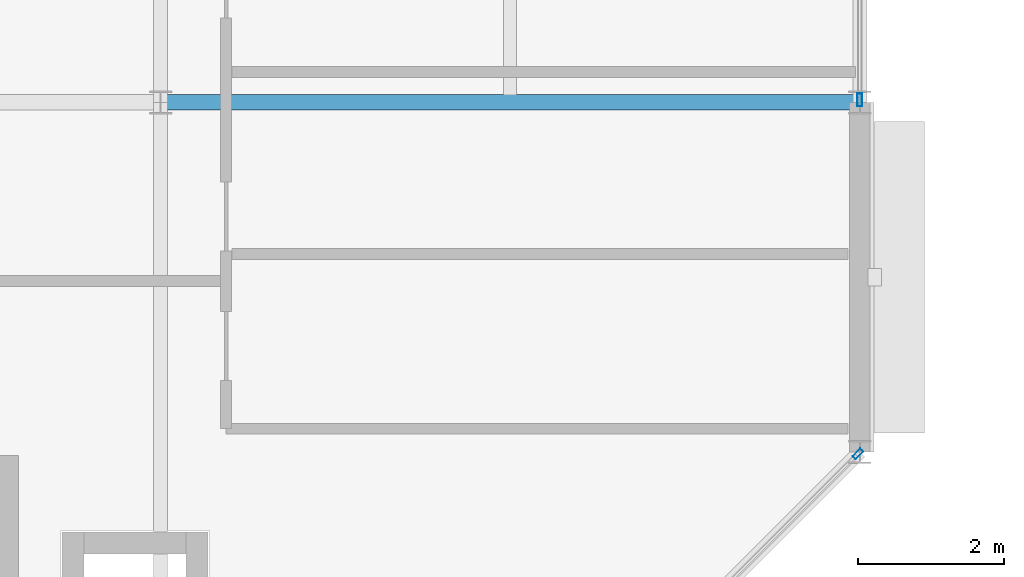
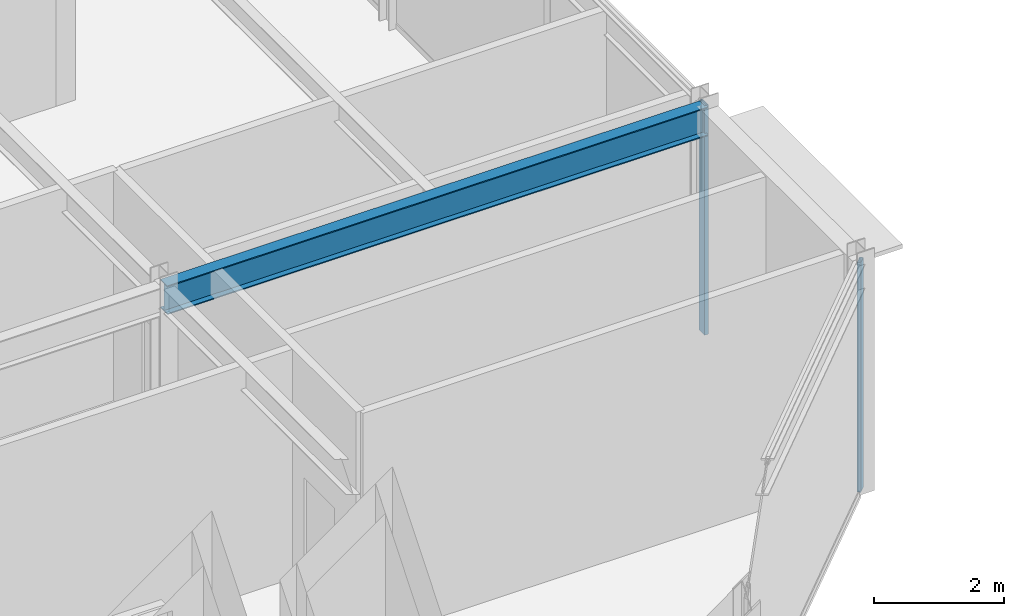
# One storey, part 10 of 50: 2 members, 1 beam, 2 elements without a shape of their own.
"""IFC4 building model written with IfcOpenShell, lengths in metres."""

from ifc_helpers import new_model, si_unit, direction, frame, origin, origin_2d, place, context, subcontext, project, spatial, hollow_rectangle, i_section, extrude, material, material_profile, profile_set, type_object, element, aggregate, save


model = new_model("IFC4")

# Units and contexts
model_context = context("Model", 3, precision=1e-05, world=origin(), true_north=direction((0.0, 1.0)))
body_context = subcontext(model_context, "Body", "Model", "MODEL_VIEW")
ifc_project = project(units=[si_unit("LENGTHUNIT", "METRE"), si_unit("AREAUNIT", "SQUARE_METRE"), si_unit("VOLUMEUNIT", "CUBIC_METRE"), si_unit("PLANEANGLEUNIT", "RADIAN"), si_unit("MASSUNIT", "GRAM", prefix="KILO")], contexts=[model_context])

# Site, building, storey
site_placement = place(None, origin())
site = spatial("IfcSite", under=ifc_project, at=site_placement, CompositionType="ELEMENT")
building_placement = place(site_placement, origin())
building = spatial("IfcBuilding", under=site, at=building_placement, Name="Almandine Court Research Institute", CompositionType="ELEMENT")
storey_placement = place(building_placement, frame((0.0, 0.0, 23.449951171875)))
storey = spatial("IfcBuildingStorey", under=building, at=storey_placement, Name="L05", CompositionType="ELEMENT", Elevation=23.449951171875)

# Beam
ifc_material_1 = material(Name="Steel ASTM A992 Grade 50", Category="steel")
ifc_material_profile_1 = material_profile(ifc_material_1, i_section(OverallWidth=0.2109375, OverallDepth=0.5390625, WebThickness=0.011962890625, FlangeThickness=0.01904296875, at=origin_2d()), Name="W530x109")
ifc_profile_set_1 = profile_set([ifc_material_profile_1], Name="Steel ASTM A992 Grade 50")
beam_type = type_object("IfcBeamType", Name="Beam-G-04", PredefinedType="BEAM", material=ifc_profile_set_1)
beam_placement = place(storey_placement, frame((25.199951171875, 93.60009765625, 4.0390625), z_axis=(1.0, 0.0, 0.0), x_axis=(0.0, 1.0, 0.0)))
element("IfcBeam", 1, at=beam_placement, inside=storey, type_object=beam_type, Name="L05 V3 Primary X Girder", PredefinedType="BEAM", context=body_context, shape_type="SweptSolid", body=[
    extrude(i_section(OverallWidth=0.2109375, OverallDepth=0.5390625, WebThickness=0.011962890625, FlangeThickness=0.01904296875, at=origin_2d()), origin(), (0.0, 0.0, 1.0), 9.60009765625),
])

# Curtain wall, member
ifc_material_2 = material(Name="Unitised Curtain Wall Framing and Solar Glazing", Category="glass")
curtain_wall_type_1 = type_object("IfcCurtainWallType", Name="CW-CWG-10", PredefinedType="USERDEFINED", material=ifc_material_2)
curtain_wall_1_placement = place(storey_placement, origin())
curtain_wall_1 = element("IfcCurtainWall", 2, at=curtain_wall_1_placement, inside=storey, type_object=curtain_wall_type_1, Name="L05 Cleanroom SE Chamfer Glazing", ObjectType="UNITISED GLAZING", PredefinedType="USERDEFINED")
ifc_material_3 = material(Name="Anodised Aluminium AW-6063-T6", Category="aluminium")
ifc_material_profile_2 = material_profile(ifc_material_3, hollow_rectangle(XDim=0.06005859375, YDim=0.14990234375, WallThickness=0.00390625, at=origin_2d()), Name="ALU RHS 60x150x4")
ifc_profile_set_2 = profile_set([ifc_material_profile_2], Name="Anodised Aluminium AW-6063-T6")
member_type_1 = type_object("IfcMemberType", Name="CWMul-60x150", PredefinedType="MULLION", material=ifc_profile_set_2)
member_1_placement = place(storey_placement, frame((34.77490234375, 88.77490234375, 0.0), z_axis=(0.0, 0.0, 1.0), x_axis=(0.707106781187, -0.707106781187, 0.0)))
member_1 = element("IfcMember", 3, at=member_1_placement, type_object=member_type_1, Name="CWG-10 mullion 1", PredefinedType="MULLION", context=body_context, shape_type="SweptSolid", body=[
    extrude(hollow_rectangle(XDim=0.06005859375, YDim=0.14990234375, WallThickness=0.00390625, at=origin_2d()), origin(), (0.0, 0.0, 1.0), 4.31005859375),
])
aggregate(curtain_wall_1, [member_1])

curtain_wall_type_2 = type_object("IfcCurtainWallType", Name="CW-CWJ-11", PredefinedType="USERDEFINED", material=ifc_material_2)
curtain_wall_2_placement = place(storey_placement, origin())
curtain_wall_2 = element("IfcCurtainWall", 4, at=curtain_wall_2_placement, inside=storey, type_object=curtain_wall_type_2, Name="L05 Cleanroom East Courtyard Jali Screen 2", ObjectType="SOLAR JALI SCREEN", PredefinedType="USERDEFINED")
ifc_material_profile_3 = material_profile(ifc_material_3, hollow_rectangle(XDim=0.06494140625, YDim=0.179931640625, WallThickness=0.00390625, at=origin_2d()), Name="ALU RHS 65x180x4")
ifc_profile_set_3 = profile_set([ifc_material_profile_3], Name="Anodised Aluminium AW-6063-T6")
member_type_2 = type_object("IfcMemberType", Name="CWMul-65x180", PredefinedType="MULLION", material=ifc_profile_set_3)
member_2_placement = place(storey_placement, frame((34.800048828125, 93.636474609375, 0.0), z_axis=(0.0, 0.0, 1.0), x_axis=(1.0, 0.0, 0.0)))
member_2 = element("IfcMember", 5, at=member_2_placement, type_object=member_type_2, Name="CWJ-11 mullion 3", PredefinedType="MULLION", context=body_context, shape_type="SweptSolid", body=[
    extrude(hollow_rectangle(XDim=0.06494140625, YDim=0.179931640625, WallThickness=0.00390625, at=origin_2d()), origin(), (0.0, 0.0, 1.0), 4.31005859375),
])
aggregate(curtain_wall_2, [member_2])

save(model, "model.ifc")
